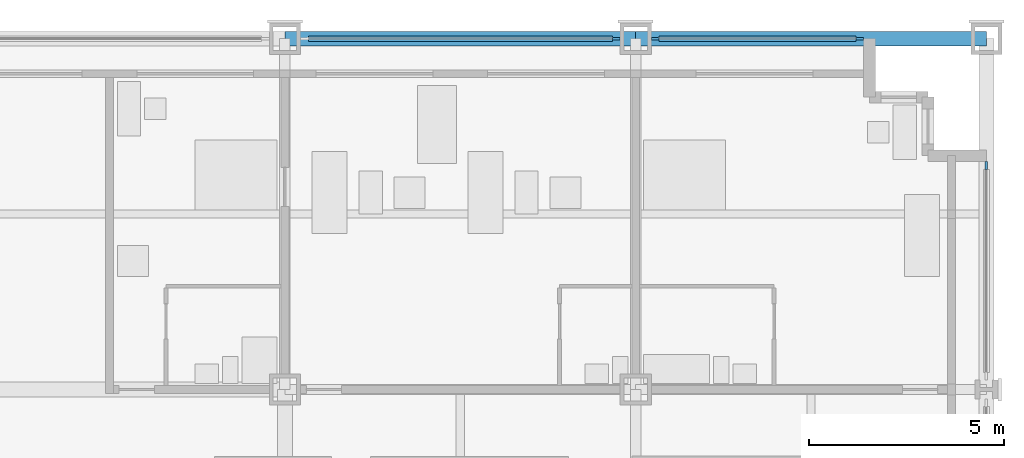
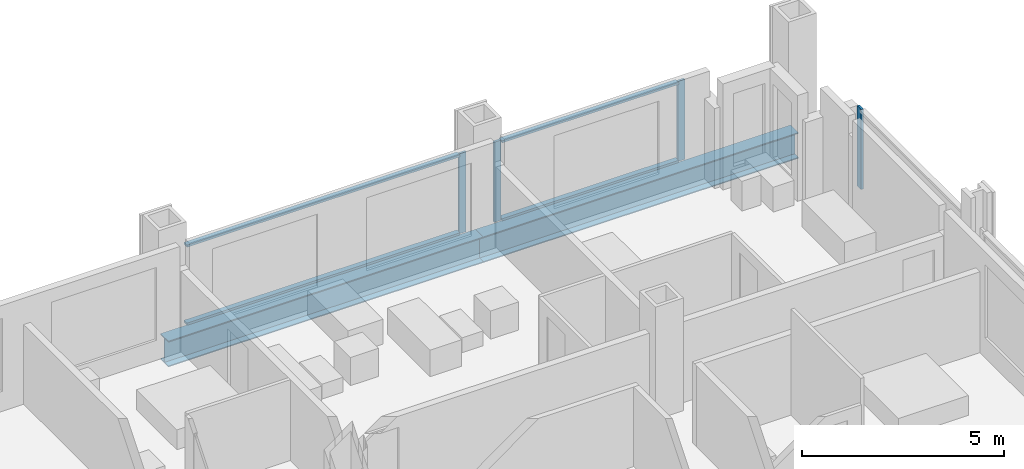
# One storey, part 8 of 18: 8 members, 2 beams, 3 elements without a shape of their own.
"""IFC4 building model written with IfcOpenShell, lengths in metres."""

from ifc_helpers import new_model, si_unit, direction, frame, origin, origin_2d, place, context, subcontext, project, spatial, rectangle, i_section, extrude, material, material_profile, profile_set, type_object, element, aggregate, save


model = new_model("IFC4")

# Units and contexts
model_context = context("Model", 3, precision=1e-05, world=origin(), true_north=direction((0.0, 1.0)))
body_context = subcontext(model_context, "Body", "Model", "MODEL_VIEW")
ifc_project = project(units=[si_unit("LENGTHUNIT", "METRE"), si_unit("AREAUNIT", "SQUARE_METRE"), si_unit("VOLUMEUNIT", "CUBIC_METRE"), si_unit("PLANEANGLEUNIT", "RADIAN"), si_unit("MASSUNIT", "GRAM", prefix="KILO")], contexts=[model_context])

# Site, building, storey
site_placement = place(None, origin())
site = spatial("IfcSite", under=ifc_project, at=site_placement, CompositionType="ELEMENT")
building_placement = place(site_placement, origin())
building = spatial("IfcBuilding", under=site, at=building_placement, Name="Loomwork Tower", CompositionType="ELEMENT")
storey_placement = place(building_placement, frame((0.0, 0.0, 41.60009765625)))
storey = spatial("IfcBuildingStorey", under=building, at=storey_placement, Name="L09", CompositionType="ELEMENT", Elevation=41.60009765625)

# Curtain wall, member
ifc_material_1 = material(Name="Aluminium curtain wall frame", Category="aluminium")
curtain_wall_type = type_object("IfcCurtainWallType", Name="Outer skin glazing hotel", PredefinedType="NOTDEFINED", material=ifc_material_1)
curtain_wall_1_placement = place(storey_placement, origin())
curtain_wall_1 = element("IfcCurtainWall", 1, at=curtain_wall_1_placement, inside=storey, type_object=curtain_wall_type, Name="Outer skin glazing hotel cw/N-36", PredefinedType="NOTDEFINED")
ifc_material_2 = material(Name="Aluminium curtain wall frame", Category="aluminium")
ifc_material_profile_1 = material_profile(ifc_material_2, rectangle(XDim=0.06494140625, YDim=0.199951171875, at=origin_2d()), Name="AL 65x200")
ifc_profile_set_1 = profile_set([ifc_material_profile_1], Name="Aluminium curtain wall frame")
member_type_1 = type_object("IfcMemberType", Name="Outer skin glazing hotel mullion", PredefinedType="MULLION", material=ifc_profile_set_1)
member_1_placement = place(storey_placement, frame((44.5, 36.0, 0.0), z_axis=(0.0, 0.0, 1.0), x_axis=(0.0, -1.0, 0.0)))
member_1 = element("IfcMember", 2, at=member_1_placement, type_object=member_type_1, Name="CW1 mullion 1", PredefinedType="MULLION", context=body_context, shape_type="SweptSolid", body=[
    extrude(rectangle(XDim=0.06494140625, YDim=0.199951171875, at=origin_2d()), origin(), (0.0, 0.0, 1.0), 2.420166015625),
])

# Curtain wall, members
curtain_wall_2_placement = place(storey_placement, origin())
curtain_wall_2 = element("IfcCurtainWall", 3, at=curtain_wall_2_placement, inside=storey, type_object=curtain_wall_type, Name="Outer skin glazing hotel cw/N-45", PredefinedType="NOTDEFINED")
member_2_placement = place(storey_placement, frame((50.75, 36.0, 0.0), z_axis=(0.0, 0.0, 1.0), x_axis=(0.0, -1.0, 0.0)))
member_2 = element("IfcMember", 4, at=member_2_placement, type_object=member_type_1, Name="CW1 mullion 1", PredefinedType="MULLION", context=body_context, shape_type="SweptSolid", body=[
    extrude(rectangle(XDim=0.06494140625, YDim=0.199951171875, at=origin_2d()), origin(), (0.0, 0.0, 1.0), 2.420166015625),
])
member_3_placement = place(storey_placement, frame((45.5, 36.0, 0.0), z_axis=(0.0, 0.0, 1.0), x_axis=(0.0, -1.0, 0.0)))
member_3 = element("IfcMember", 5, at=member_3_placement, type_object=member_type_1, Name="CW1 mullion 2", PredefinedType="MULLION", context=body_context, shape_type="SweptSolid", body=[
    extrude(rectangle(XDim=0.06494140625, YDim=0.199951171875, at=origin_2d()), origin(), (0.0, 0.0, 1.0), 2.420166015625),
])

# Curtain wall, member
curtain_wall_3_placement = place(storey_placement, origin())
curtain_wall_3 = element("IfcCurtainWall", 6, at=curtain_wall_3_placement, inside=storey, type_object=curtain_wall_type, Name="Outer skin glazing hotel cw/E-27", PredefinedType="NOTDEFINED")
member_4_placement = place(storey_placement, frame((54.0, 32.75, 0.0), z_axis=(0.0, 0.0, 1.0), x_axis=(-1.0, 0.0, 0.0)))
member_4 = element("IfcMember", 7, at=member_4_placement, type_object=member_type_1, Name="CW1 mullion 2", PredefinedType="MULLION", context=body_context, shape_type="SweptSolid", body=[
    extrude(rectangle(XDim=0.06494140625, YDim=0.199951171875, at=origin_2d()), origin(), (0.0, 0.0, 1.0), 2.420166015625),
])
aggregate(curtain_wall_3, [member_4])

# Member
ifc_material_3 = material(Name="Aluminium curtain wall frame", Category="aluminium")
ifc_material_profile_2 = material_profile(ifc_material_3, rectangle(XDim=0.14990234375, YDim=0.06494140625, at=origin_2d()), Name="AL 65x150")
ifc_profile_set_2 = profile_set([ifc_material_profile_2], Name="Aluminium curtain wall frame")
member_type_2 = type_object("IfcMemberType", Name="Outer skin glazing hotel transom", PredefinedType="USERDEFINED", material=ifc_profile_set_2)
member_5_placement = place(storey_placement, frame((44.39990234375, 36.0, 0.032470703125), z_axis=(-1.0, 0.0, 0.0), x_axis=(0.0, -1.0, 0.0)))
member_5 = element("IfcMember", 8, at=member_5_placement, type_object=member_type_2, Name="CW1 transom 1.1", ObjectType="TRANSOM", PredefinedType="USERDEFINED", context=body_context, shape_type="SweptSolid", body=[
    extrude(rectangle(XDim=0.14990234375, YDim=0.06494140625, at=origin_2d()), origin(), (0.0, 0.0, 1.0), 7.7998046875),
])

member_6_placement = place(storey_placement, frame((44.39990234375, 36.0, 2.3876953125), z_axis=(-1.0, 0.0, 0.0), x_axis=(0.0, -1.0, 0.0)))
member_6 = element("IfcMember", 9, at=member_6_placement, type_object=member_type_2, Name="CW1 transom 1.2", ObjectType="TRANSOM", PredefinedType="USERDEFINED", context=body_context, shape_type="SweptSolid", body=[
    extrude(rectangle(XDim=0.14990234375, YDim=0.06494140625, at=origin_2d()), origin(), (0.0, 0.0, 1.0), 7.7998046875),
])

aggregate(curtain_wall_1, [member_1, member_5, member_6])

member_7_placement = place(storey_placement, frame((50.64990234375, 36.0, 0.032470703125), z_axis=(-1.0, 0.0, 0.0), x_axis=(0.0, -1.0, 0.0)))
member_7 = element("IfcMember", 10, at=member_7_placement, type_object=member_type_2, Name="CW1 transom 1.1", ObjectType="TRANSOM", PredefinedType="USERDEFINED", context=body_context, shape_type="SweptSolid", body=[
    extrude(rectangle(XDim=0.14990234375, YDim=0.06494140625, at=origin_2d()), origin(), (0.0, 0.0, 1.0), 5.0498046875),
])

member_8_placement = place(storey_placement, frame((50.64990234375, 36.0, 2.3876953125), z_axis=(-1.0, 0.0, 0.0), x_axis=(0.0, -1.0, 0.0)))
member_8 = element("IfcMember", 11, at=member_8_placement, type_object=member_type_2, Name="CW1 transom 1.2", ObjectType="TRANSOM", PredefinedType="USERDEFINED", context=body_context, shape_type="SweptSolid", body=[
    extrude(rectangle(XDim=0.14990234375, YDim=0.06494140625, at=origin_2d()), origin(), (0.0, 0.0, 1.0), 5.0498046875),
])

aggregate(curtain_wall_2, [member_2, member_3, member_7, member_8])

# Beams
ifc_material_4 = material(Name="Steel ASTM A992", Category="steel")
ifc_material_profile_3 = material_profile(ifc_material_4, i_section(OverallWidth=0.381103515625, OverallDepth=0.77978515625, WebThickness=0.01806640625, FlangeThickness=0.0302734375, at=origin_2d()), Name="W30x191")
ifc_profile_set_3 = profile_set([ifc_material_profile_3], Name="Steel ASTM A992")
beam_type = type_object("IfcBeamType", Name="SPANDREL GIRDER W30x191", PredefinedType="SPANDREL", material=ifc_profile_set_3)
for number, where, z_axis, x_axis, name in (
    (12, (36.0, 36.0, -0.590087890625), (1.0, 0.0, 0.0), (0.0, 1.0, 0.0), "Spandrel Girder H/6-H/7 L09"),
    (13, (45.0, 36.0, -0.590087890625), (1.0, 0.0, 0.0), (0.0, 1.0, 0.0), "Spandrel Girder H/7-H/8 L09"),
):
    element("IfcBeam", number, at=place(storey_placement, frame(where, z_axis=z_axis, x_axis=x_axis)), inside=storey, type_object=beam_type, Name=name, PredefinedType="SPANDREL", context=body_context, shape_type="SweptSolid", body=[
        extrude(i_section(OverallWidth=0.381103515625, OverallDepth=0.77978515625, WebThickness=0.01806640625, FlangeThickness=0.0302734375, at=origin_2d()), origin(), (0.0, 0.0, 1.0), 9.0),
    ])

save(model, "model.ifc")
